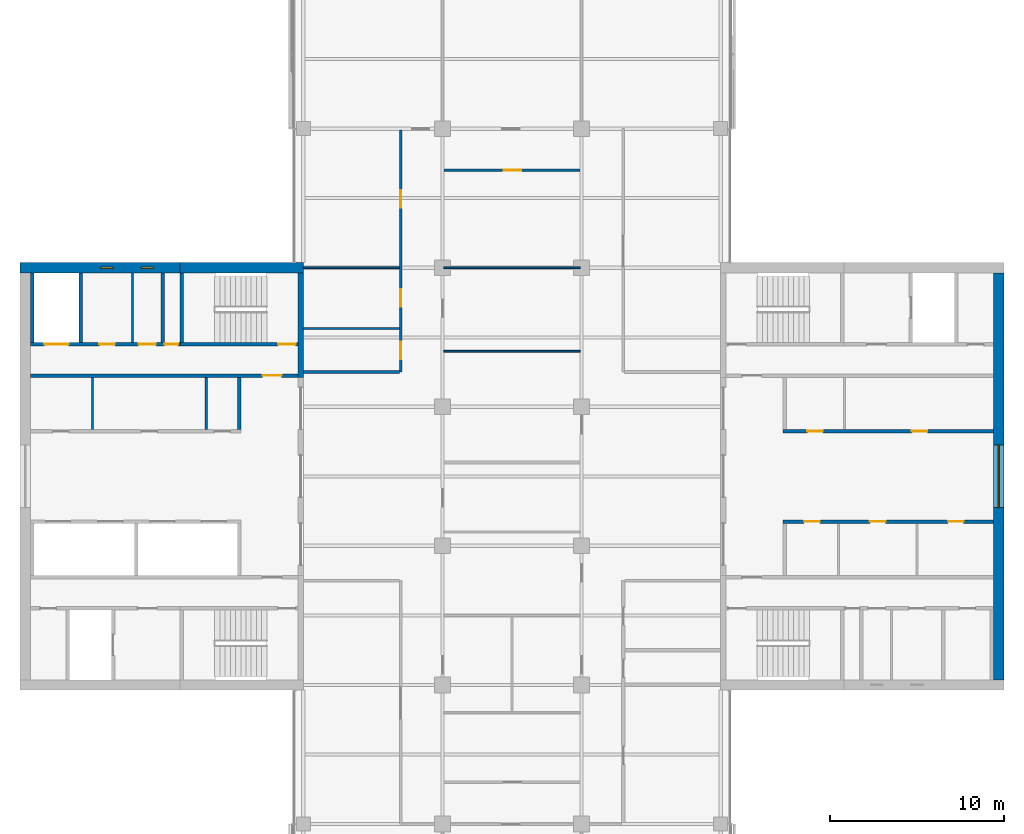
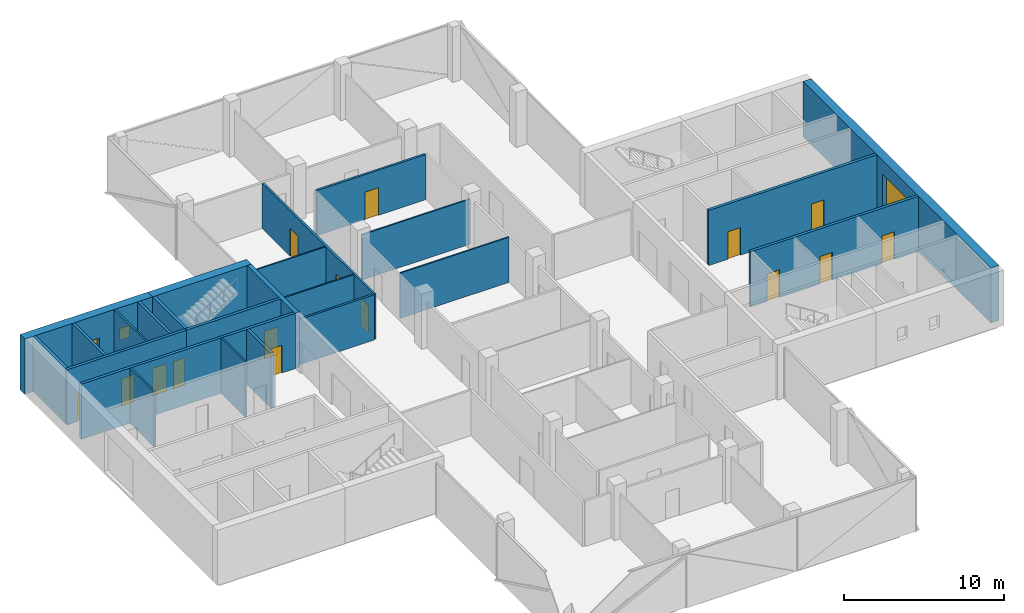
# One storey, part 11 of 15: 24 walls, 15 doors, 3 windows, 18 openings.
"""IFC4 building model written with IfcOpenShell, lengths in metres."""

from ifc_helpers import new_model, si_unit, direction, frame, frame_2d, origin, place, context, subcontext, project, spatial, rectangle, extrude, material, layer, layer_set, constituent, constituent_set, type_object, element, fill, save


model = new_model("IFC4")

# Units and contexts
model_context = context("Model", 3, precision=1e-05, world=origin(), true_north=direction((0.0, 1.0)))
body_context = subcontext(model_context, "Body", "Model", "MODEL_VIEW")
ifc_project = project(units=[si_unit("LENGTHUNIT", "METRE"), si_unit("AREAUNIT", "SQUARE_METRE"), si_unit("VOLUMEUNIT", "CUBIC_METRE"), si_unit("PLANEANGLEUNIT", "RADIAN"), si_unit("MASSUNIT", "GRAM", prefix="KILO")], contexts=[model_context])

# Site, building, storey
site_placement = place(None, origin())
site = spatial("IfcSite", under=ifc_project, at=site_placement, CompositionType="ELEMENT")
building_placement = place(site_placement, origin())
building = spatial("IfcBuilding", under=site, at=building_placement, Name="Crosswind Convention Tower", CompositionType="ELEMENT")
storey_placement = place(building_placement, frame((0.0, 0.0, 187.300048828125)))
storey = spatial("IfcBuildingStorey", under=building, at=storey_placement, Name="L39", CompositionType="ELEMENT", Elevation=187.300048828125)

# Walls
ifc_material_1 = material(Name="Concrete blockwork", Category="masonry")
ifc_layer_1 = layer(ifc_material_1, 0.199951171875)
ifc_layer_set_1 = layer_set([ifc_layer_1], Name="Blockwork partition wall 200")
wall_type_1 = type_object("IfcWallType", Name="Blockwork partition wall 200", PredefinedType="PARTITIONING", material=ifc_layer_set_1)
wall_1_placement = place(storey_placement, frame((104.89990234375, 111.699951171875, 0.0), z_axis=(0.0, 0.0, 1.0), x_axis=(0.0, -1.0, 0.0)))
element("IfcWall", 1, at=wall_1_placement, inside=storey, type_object=wall_type_1, Name="Wall MRSE W L39", PredefinedType="PARTITIONING", context=body_context, shape_type="SweptSolid", body=[
    extrude(rectangle(XDim=4.0, YDim=0.199951171875, at=frame_2d((2.0, 0.0))), origin(), (0.0, 0.0, 1.0), 4.199951171875),
])
ifc_material_2 = material(Name="Concrete C50/60", Category="concrete")
ifc_layer_2 = layer(ifc_material_2, 0.300048828125)
ifc_layer_set_2 = layer_set([ifc_layer_2], Name="Concrete C50/60")
wall_type_2 = type_object("IfcWallType", Name="Concrete inner core wall 300", PredefinedType="SHEAR", material=ifc_layer_set_2)
wall_2_placement = place(storey_placement, frame((112.85009765625, 111.699951171875, 0.0), z_axis=(0.0, 0.0, 1.0), x_axis=(0.0, -1.0, 0.0)))
element("IfcWall", 2, at=wall_2_placement, inside=storey, type_object=wall_type_2, Name="Wall EM W L39", PredefinedType="SHEAR", context=body_context, shape_type="SweptSolid", body=[
    extrude(rectangle(XDim=6.0, YDim=0.300048828125, at=frame_2d((3.0, 0.0))), origin(), (0.0, 0.0, 1.0), 4.199951171875),
])

# Wall, openings, doors
ifc_layer_3 = layer(ifc_material_2, 0.199951171875)
ifc_layer_set_3 = layer_set([ifc_layer_3], Name="Concrete C50/60")
wall_type_3 = type_object("IfcWallType", Name="Concrete shaft and stair wall 200", PredefinedType="SHEAR", material=ifc_layer_set_3)
wall_3_placement = place(storey_placement, frame((140.60009765625, 102.60009765625, 0.0), z_axis=(0.0, 0.0, 1.0), x_axis=(1.0, 0.0, 0.0)))
wall_3 = element("IfcWall", 3, at=wall_3_placement, inside=storey, type_object=wall_type_3, Name="Wall RPFRONT E L39", PredefinedType="SHEAR", context=body_context, shape_type="SweptSolid", body=[
    extrude(rectangle(XDim=12.099853515625, YDim=0.199951171875, at=frame_2d((6.0498046875, 0.0))), origin(), (0.0, 0.0, 1.0), 4.199951171875),
])
opening_1_placement = place(wall_3_placement, frame((1.384765625, 0.0, 0.0)))
opening_1 = element("IfcOpeningElement", 4, at=opening_1_placement, cuts=wall_3, Name="Opening D106", PredefinedType="OPENING", context=body_context, shape_type="SweptSolid", body=[
    extrude(rectangle(XDim=0.89990234375, YDim=2.10009765625, at=frame_2d((0.449951171875, 1.050048828125))), frame((0.0, 0.10986328125, 0.0), z_axis=(0.0, -1.0, 0.0), x_axis=(1.0, 0.0, 0.0)), (0.0, 0.0, 1.0), 0.219970703125),
])
opening_2_placement = place(wall_3_placement, frame((7.397216796875, 0.0, 0.0)))
opening_2 = element("IfcOpeningElement", 5, at=opening_2_placement, cuts=wall_3, Name="Opening D106", PredefinedType="OPENING", context=body_context, shape_type="SweptSolid", body=[
    extrude(rectangle(XDim=0.89990234375, YDim=2.10009765625, at=frame_2d((0.449951171875, 1.050048828125))), frame((0.0, 0.10986328125, 0.0), z_axis=(0.0, -1.0, 0.0), x_axis=(1.0, 0.0, 0.0)), (0.0, 0.0, 1.0), 0.219970703125),
])
ifc_material_3 = material(Name="Timber door", Category="wood")
door_type_1 = type_object("IfcDoorType", Name="Single leaf door 900x2100", OperationType="NOTDEFINED", PredefinedType="DOOR", material=ifc_material_3)
door_1_placement = place(opening_1_placement, origin())
door_1 = element("IfcDoor", 6, at=door_1_placement, inside=storey, type_object=door_type_1, Name="Door to tenant services room L39", ObjectType="D106", OperationType="SINGLE_SWING_RIGHT", OverallHeight=2.10009765625, OverallWidth=0.89990234375, PredefinedType="DOOR", context=body_context, shape_type="SweptSolid", body=[
    extrude(rectangle(XDim=0.89990234375, YDim=2.10009765625, at=frame_2d((0.449951171875, 1.050048828125))), frame((0.0, 0.02490234375, 0.0), z_axis=(0.0, -1.0, 0.0), x_axis=(1.0, 0.0, 0.0)), (0.0, 0.0, 1.0), 0.050048828125),
])
fill(opening_1, door_1)
door_2_placement = place(opening_2_placement, origin())
door_2 = element("IfcDoor", 7, at=door_2_placement, inside=storey, type_object=door_type_1, Name="Door to copy and print room L39", ObjectType="D106", OperationType="SINGLE_SWING_RIGHT", OverallHeight=2.10009765625, OverallWidth=0.89990234375, PredefinedType="DOOR", context=body_context, shape_type="SweptSolid", body=[
    extrude(rectangle(XDim=0.89990234375, YDim=2.10009765625, at=frame_2d((0.449951171875, 1.050048828125))), frame((0.0, 0.02490234375, 0.0), z_axis=(0.0, -1.0, 0.0), x_axis=(1.0, 0.0, 0.0)), (0.0, 0.0, 1.0), 0.050048828125),
])
fill(opening_2, door_2)

wall_4_placement = place(storey_placement, frame((140.60009765625, 97.39990234375, 0.0), z_axis=(0.0, 0.0, 1.0), x_axis=(1.0, 0.0, 0.0)))
wall_4 = element("IfcWall", 8, at=wall_4_placement, inside=storey, type_object=wall_type_3, Name="Wall RMFRONT E L39", PredefinedType="SHEAR", context=body_context, shape_type="SweptSolid", body=[
    extrude(rectangle(XDim=12.099853515625, YDim=0.199951171875, at=frame_2d((6.0498046875, 0.0))), origin(), (0.0, 0.0, 1.0), 4.199951171875),
])
opening_3_placement = place(wall_4_placement, frame((1.206298828125, 0.0, 0.0)))
opening_3 = element("IfcOpeningElement", 9, at=opening_3_placement, cuts=wall_4, Name="Opening D106", PredefinedType="OPENING", context=body_context, shape_type="SweptSolid", body=[
    extrude(rectangle(XDim=0.89990234375, YDim=2.10009765625, at=frame_2d((0.449951171875, 1.050048828125))), frame((0.0, 0.10986328125, 0.0), z_axis=(0.0, -1.0, 0.0), x_axis=(1.0, 0.0, 0.0)), (0.0, 0.0, 1.0), 0.219970703125),
])
opening_4_placement = place(wall_4_placement, frame((4.986083984375, 0.0, 0.0)))
opening_4 = element("IfcOpeningElement", 10, at=opening_4_placement, cuts=wall_4, Name="Opening D106", PredefinedType="OPENING", context=body_context, shape_type="SweptSolid", body=[
    extrude(rectangle(XDim=0.89990234375, YDim=2.10009765625, at=frame_2d((0.449951171875, 1.050048828125))), frame((0.0, 0.10986328125, 0.0), z_axis=(0.0, -1.0, 0.0), x_axis=(1.0, 0.0, 0.0)), (0.0, 0.0, 1.0), 0.219970703125),
])
opening_5_placement = place(wall_4_placement, frame((9.479736328125, 0.0, 0.0)))
opening_5 = element("IfcOpeningElement", 11, at=opening_5_placement, cuts=wall_4, Name="Opening D106", PredefinedType="OPENING", context=body_context, shape_type="SweptSolid", body=[
    extrude(rectangle(XDim=0.89990234375, YDim=2.10009765625, at=frame_2d((0.449951171875, 1.050048828125))), frame((0.0, 0.10986328125, 0.0), z_axis=(0.0, -1.0, 0.0), x_axis=(1.0, 0.0, 0.0)), (0.0, 0.0, 1.0), 0.219970703125),
])
door_3_placement = place(opening_3_placement, frame((0.89990234375, 0.0, 0.0), z_axis=(0.0, 0.0, 1.0), x_axis=(-1.0, 0.0, 0.0)))
door_3 = element("IfcDoor", 12, at=door_3_placement, inside=storey, type_object=door_type_1, Name="Door to copy and print room L39", ObjectType="D106", OperationType="SINGLE_SWING_LEFT", OverallHeight=2.10009765625, OverallWidth=0.89990234375, PredefinedType="DOOR", context=body_context, shape_type="SweptSolid", body=[
    extrude(rectangle(XDim=0.89990234375, YDim=2.10009765625, at=frame_2d((0.449951171875, 1.050048828125))), frame((0.0, 0.02490234375, 0.0), z_axis=(0.0, -1.0, 0.0), x_axis=(1.0, 0.0, 0.0)), (0.0, 0.0, 1.0), 0.050048828125),
])
fill(opening_3, door_3)
door_4_placement = place(opening_4_placement, frame((0.89990234375, 0.0, 0.0), z_axis=(0.0, 0.0, 1.0), x_axis=(-1.0, 0.0, 0.0)))
door_4 = element("IfcDoor", 13, at=door_4_placement, inside=storey, type_object=door_type_1, Name="Door to meeting room L39", ObjectType="D106", OperationType="SINGLE_SWING_LEFT", OverallHeight=2.10009765625, OverallWidth=0.89990234375, PredefinedType="DOOR", context=body_context, shape_type="SweptSolid", body=[
    extrude(rectangle(XDim=0.89990234375, YDim=2.10009765625, at=frame_2d((0.449951171875, 1.050048828125))), frame((0.0, 0.02490234375, 0.0), z_axis=(0.0, -1.0, 0.0), x_axis=(1.0, 0.0, 0.0)), (0.0, 0.0, 1.0), 0.050048828125),
])
fill(opening_4, door_4)
door_5_placement = place(opening_5_placement, frame((0.89990234375, 0.0, 0.0), z_axis=(0.0, 0.0, 1.0), x_axis=(-1.0, 0.0, 0.0)))
door_5 = element("IfcDoor", 14, at=door_5_placement, inside=storey, type_object=door_type_1, Name="Door to pantry L39", ObjectType="D106", OperationType="SINGLE_SWING_LEFT", OverallHeight=2.10009765625, OverallWidth=0.89990234375, PredefinedType="DOOR", context=body_context, shape_type="SweptSolid", body=[
    extrude(rectangle(XDim=0.89990234375, YDim=2.10009765625, at=frame_2d((0.449951171875, 1.050048828125))), frame((0.0, 0.02490234375, 0.0), z_axis=(0.0, -1.0, 0.0), x_axis=(1.0, 0.0, 0.0)), (0.0, 0.0, 1.0), 0.050048828125),
])
fill(opening_5, door_5)

# Wall
wall_5_placement = place(storey_placement, frame((109.300048828125, 105.699951171875, 0.0), z_axis=(0.0, 0.0, 1.0), x_axis=(0.0, -1.0, 0.0)))
element("IfcWall", 15, at=wall_5_placement, inside=storey, type_object=wall_type_3, Name="Wall RMEND W L39", PredefinedType="SHEAR", context=body_context, shape_type="SweptSolid", body=[
    extrude(rectangle(XDim=3.0, YDim=0.199951171875, at=frame_2d((1.5, 0.0))), origin(), (0.0, 0.0, 1.0), 4.199951171875),
])

# Wall, opening, door
wall_6_placement = place(storey_placement, frame((112.699951171875, 105.800048828125, 0.0), z_axis=(0.0, 0.0, 1.0), x_axis=(-1.0, 0.0, 0.0)))
wall_6 = element("IfcWall", 16, at=wall_6_placement, inside=storey, type_object=wall_type_3, Name="Wall HM W L39", PredefinedType="SHEAR", context=body_context, shape_type="SweptSolid", body=[
    extrude(rectangle(XDim=15.39990234375, YDim=0.199951171875, at=frame_2d((7.699951171875, 0.0))), origin(), (0.0, 0.0, 1.0), 4.199951171875),
])
opening_6_placement = place(wall_6_placement, frame((0.949951171875, 0.0, 0.0)))
opening_6 = element("IfcOpeningElement", 17, at=opening_6_placement, cuts=wall_6, Name="Opening D104", PredefinedType="OPENING", context=body_context, shape_type="SweptSolid", body=[
    extrude(rectangle(XDim=1.10009765625, YDim=2.10009765625, at=frame_2d((0.550048828125, 1.050048828125))), frame((0.0, 0.10986328125, 0.0), z_axis=(0.0, -1.0, 0.0), x_axis=(1.0, 0.0, 0.0)), (0.0, 0.0, 1.0), 0.219970703125),
])
ifc_material_4 = material(Name="Steel fire door", Category="steel")
door_type_2 = type_object("IfcDoorType", Name="Fire-rated single door 1100x2100", OperationType="NOTDEFINED", PredefinedType="DOOR", material=ifc_material_4)
door_6_placement = place(opening_6_placement, origin())
door_6 = element("IfcDoor", 18, at=door_6_placement, inside=storey, type_object=door_type_2, Name="Corridor door L39", ObjectType="D104", OperationType="SINGLE_SWING_LEFT", OverallHeight=2.10009765625, OverallWidth=1.10009765625, PredefinedType="DOOR", context=body_context, shape_type="SweptSolid", body=[
    extrude(rectangle(XDim=1.10009765625, YDim=2.10009765625, at=frame_2d((0.550048828125, 1.050048828125))), frame((0.0, 0.02490234375, 0.0), z_axis=(0.0, -1.0, 0.0), x_axis=(1.0, 0.0, 0.0)), (0.0, 0.0, 1.0), 0.050048828125),
])
fill(opening_6, door_6)

# Walls
for number, where, z_axis, x_axis, name in (
    (19, (106.0, 111.699951171875, 0.0), (0.0, 0.0, 1.0), (0.0, -1.0, 0.0), "Wall MSE W L39"),
    (20, (100.199951171875, 111.699951171875, 0.0), (0.0, 0.0, 1.0), (0.0, -1.0, 0.0), "Wall MFSW W L39"),
    (21, (97.39990234375, 111.699951171875, 0.0), (0.0, 0.0, 1.0), (0.0, -1.0, 0.0), "Wall MFSE W L39"),
):
    element("IfcWall", number, at=place(storey_placement, frame(where, z_axis=z_axis, x_axis=x_axis)), inside=storey, type_object=wall_type_3, Name=name, PredefinedType="SHEAR", context=body_context, shape_type="SweptSolid", body=[
        extrude(rectangle(XDim=4.0, YDim=0.199951171875, at=frame_2d((2.0, 0.0))), origin(), (0.0, 0.0, 1.0), 4.199951171875),
    ])

# Wall, opening, door
wall_7_placement = place(storey_placement, frame((112.699951171875, 107.60009765625, 0.0), z_axis=(0.0, 0.0, 1.0), x_axis=(-1.0, 0.0, 0.0)))
wall_7 = element("IfcWall", 22, at=wall_7_placement, inside=storey, type_object=wall_type_3, Name="Wall MCW W L39", PredefinedType="SHEAR", context=body_context, shape_type="SweptSolid", body=[
    extrude(rectangle(XDim=6.800048828125, YDim=0.199951171875, at=frame_2d((3.39990234375, 0.0))), origin(), (0.0, 0.0, 1.0), 4.199951171875),
])
opening_7_placement = place(wall_7_placement, frame((0.14990234375, 0.0, 0.0)))
opening_7 = element("IfcOpeningElement", 23, at=opening_7_placement, cuts=wall_7, Name="Opening D103", PredefinedType="OPENING", context=body_context, shape_type="SweptSolid", body=[
    extrude(rectangle(XDim=1.0, YDim=2.10009765625, at=frame_2d((0.5, 1.050048828125))), frame((0.0, 0.10986328125, 0.0), z_axis=(0.0, -1.0, 0.0), x_axis=(1.0, 0.0, 0.0)), (0.0, 0.0, 1.0), 0.219970703125),
])
door_type_3 = type_object("IfcDoorType", Name="Fire-rated single door 1000x2100", OperationType="NOTDEFINED", PredefinedType="DOOR", material=ifc_material_4)
door_7_placement = place(opening_7_placement, frame((1.0, 0.0, 0.0), z_axis=(0.0, 0.0, 1.0), x_axis=(-1.0, 0.0, 0.0)))
door_7 = element("IfcDoor", 24, at=door_7_placement, inside=storey, type_object=door_type_3, Name="Stair ST4 door L39", ObjectType="D103", OperationType="SINGLE_SWING_RIGHT", OverallHeight=2.10009765625, OverallWidth=1.0, PredefinedType="DOOR", context=body_context, shape_type="SweptSolid", body=[
    extrude(rectangle(XDim=1.0, YDim=2.10009765625, at=frame_2d((0.5, 1.050048828125))), frame((0.0, 0.02490234375, 0.0), z_axis=(0.0, -1.0, 0.0), x_axis=(1.0, 0.0, 0.0)), (0.0, 0.0, 1.0), 0.050048828125),
])
fill(opening_7, door_7)

# Wall, openings, doors
wall_8_placement = place(storey_placement, frame((105.89990234375, 107.60009765625, 0.0), z_axis=(0.0, 0.0, 1.0), x_axis=(-1.0, 0.0, 0.0)))
wall_8 = element("IfcWall", 25, at=wall_8_placement, inside=storey, type_object=wall_type_3, Name="Wall MCX W L39", PredefinedType="SHEAR", context=body_context, shape_type="SweptSolid", body=[
    extrude(rectangle(XDim=8.599853515625, YDim=0.199951171875, at=frame_2d((4.2998046875, 0.0))), origin(), (0.0, 0.0, 1.0), 4.199951171875),
])
opening_8_placement = place(wall_8_placement, frame((0.10009765625, 0.0, 0.0)))
opening_8 = element("IfcOpeningElement", 26, at=opening_8_placement, cuts=wall_8, Name="Opening D105", PredefinedType="OPENING", context=body_context, shape_type="SweptSolid", body=[
    extrude(rectangle(XDim=0.800048828125, YDim=2.10009765625, at=frame_2d((0.39990234375, 1.050048828125))), frame((0.0, 0.10986328125, 0.0), z_axis=(0.0, -1.0, 0.0), x_axis=(1.0, 0.0, 0.0)), (0.0, 0.0, 1.0), 0.219970703125),
])
opening_9_placement = place(wall_8_placement, frame((1.378662109375, 0.0, 0.0)))
opening_9 = element("IfcOpeningElement", 27, at=opening_9_placement, cuts=wall_8, Name="Opening D103", PredefinedType="OPENING", context=body_context, shape_type="SweptSolid", body=[
    extrude(rectangle(XDim=1.0, YDim=2.10009765625, at=frame_2d((0.5, 1.050048828125))), frame((0.0, 0.10986328125, 0.0), z_axis=(0.0, -1.0, 0.0), x_axis=(1.0, 0.0, 0.0)), (0.0, 0.0, 1.0), 0.219970703125),
])
opening_10_placement = place(wall_8_placement, frame((3.7412109375, 0.0, 0.0)))
opening_10 = element("IfcOpeningElement", 28, at=opening_10_placement, cuts=wall_8, Name="Opening D106", PredefinedType="OPENING", context=body_context, shape_type="SweptSolid", body=[
    extrude(rectangle(XDim=0.89990234375, YDim=2.10009765625, at=frame_2d((0.449951171875, 1.050048828125))), frame((0.0, 0.10986328125, 0.0), z_axis=(0.0, -1.0, 0.0), x_axis=(1.0, 0.0, 0.0)), (0.0, 0.0, 1.0), 0.219970703125),
])
opening_11_placement = place(wall_8_placement, frame((6.39990234375, 0.0, 0.0)))
opening_11 = element("IfcOpeningElement", 29, at=opening_11_placement, cuts=wall_8, Name="Opening LD2", PredefinedType="OPENING", context=body_context, shape_type="SweptSolid", body=[
    extrude(rectangle(XDim=1.39990234375, YDim=2.10009765625, at=frame_2d((0.699951171875, 1.050048828125))), frame((0.0, 0.10986328125, 0.0), z_axis=(0.0, -1.0, 0.0), x_axis=(1.0, 0.0, 0.0)), (0.0, 0.0, 1.0), 0.219970703125),
])
door_8_placement = place(opening_9_placement, frame((1.0, 0.0, 0.0), z_axis=(0.0, 0.0, 1.0), x_axis=(-1.0, 0.0, 0.0)))
door_8 = element("IfcDoor", 30, at=door_8_placement, inside=storey, type_object=door_type_3, Name="Door to accessible wc L39", ObjectType="D103", OperationType="SINGLE_SWING_LEFT", OverallHeight=2.10009765625, OverallWidth=1.0, PredefinedType="DOOR", context=body_context, shape_type="SweptSolid", body=[
    extrude(rectangle(XDim=1.0, YDim=2.10009765625, at=frame_2d((0.5, 1.050048828125))), frame((0.0, 0.02490234375, 0.0), z_axis=(0.0, -1.0, 0.0), x_axis=(1.0, 0.0, 0.0)), (0.0, 0.0, 1.0), 0.050048828125),
])
fill(opening_9, door_8)
ifc_material_5 = material(Name="Stainless steel", Category="steel")
door_type_4 = type_object("IfcDoorType", Name="Lift landing door 1400x2100", OperationType="DOUBLE_DOOR_SLIDING", PredefinedType="DOOR", material=ifc_material_5)
door_9_placement = place(opening_11_placement, origin())
door_9 = element("IfcDoor", 31, at=door_9_placement, inside=storey, type_object=door_type_4, Name="Landing door SV2 L39", ObjectType="LD2", OperationType="DOUBLE_DOOR_SLIDING", OverallHeight=2.10009765625, OverallWidth=1.39990234375, PredefinedType="DOOR", context=body_context, shape_type="SweptSolid", body=[
    extrude(rectangle(XDim=1.39990234375, YDim=2.10009765625, at=frame_2d((0.699951171875, 1.050048828125))), frame((0.0, 0.02490234375, 0.0), z_axis=(0.0, -1.0, 0.0), x_axis=(1.0, 0.0, 0.0)), (0.0, 0.0, 1.0), 0.050048828125),
])
fill(opening_11, door_9)
door_type_5 = type_object("IfcDoorType", Name="Riser access door 800x2100", OperationType="NOTDEFINED", PredefinedType="DOOR", material=ifc_material_4)
door_10_placement = place(opening_8_placement, frame((0.800048828125, 0.0, 0.0), z_axis=(0.0, 0.0, 1.0), x_axis=(-1.0, 0.0, 0.0)))
door_10 = element("IfcDoor", 32, at=door_10_placement, inside=storey, type_object=door_type_5, Name="Riser door L39", ObjectType="D105", OperationType="SINGLE_SWING_LEFT", OverallHeight=2.10009765625, OverallWidth=0.800048828125, PredefinedType="DOOR", context=body_context, shape_type="SweptSolid", body=[
    extrude(rectangle(XDim=0.800048828125, YDim=2.10009765625, at=frame_2d((0.39990234375, 1.050048828125))), frame((0.0, 0.02490234375, 0.0), z_axis=(0.0, -1.0, 0.0), x_axis=(1.0, 0.0, 0.0)), (0.0, 0.0, 1.0), 0.050048828125),
])
fill(opening_8, door_10)
door_11_placement = place(opening_10_placement, frame((0.89990234375, 0.0, 0.0), z_axis=(0.0, 0.0, 1.0), x_axis=(-1.0, 0.0, 0.0)))
door_11 = element("IfcDoor", 33, at=door_11_placement, inside=storey, type_object=door_type_1, Name="Door to wc L39", ObjectType="D106", OperationType="SINGLE_SWING_LEFT", OverallHeight=2.10009765625, OverallWidth=0.89990234375, PredefinedType="DOOR", context=body_context, shape_type="SweptSolid", body=[
    extrude(rectangle(XDim=0.89990234375, YDim=2.10009765625, at=frame_2d((0.449951171875, 1.050048828125))), frame((0.0, 0.02490234375, 0.0), z_axis=(0.0, -1.0, 0.0), x_axis=(1.0, 0.0, 0.0)), (0.0, 0.0, 1.0), 0.050048828125),
])
fill(opening_10, door_11)

# Walls
ifc_material_6 = material(Name="Gypsum plasterboard partition", Category="gypsum")
ifc_layer_4 = layer(ifc_material_6, 0.125)
ifc_layer_set_4 = layer_set([ifc_layer_4], Name="Drywall partition wall 125")
wall_type_4 = type_object("IfcWallType", Name="Drywall partition wall 125", PredefinedType="PARTITIONING", material=ifc_layer_set_4)
for number, where, z_axis, x_axis, name in (
    (34, (107.4150390625, 105.699951171875, 0.0), (0.0, 0.0, 1.0), (0.0, -1.0, 0.0), "Wall RMP1 W L39"),
    (35, (100.8701171875, 105.699951171875, 0.0), (0.0, 0.0, 1.0), (0.0, -1.0, 0.0), "Wall RMP2 W L39"),
):
    element("IfcWall", number, at=place(storey_placement, frame(where, z_axis=z_axis, x_axis=x_axis)), inside=storey, type_object=wall_type_4, Name=name, PredefinedType="PARTITIONING", context=body_context, shape_type="SweptSolid", body=[
        extrude(rectangle(XDim=3.0, YDim=0.125, at=frame_2d((1.5, 0.0))), origin(), (0.0, 0.0, 1.0), 4.199951171875),
    ])
wall_9_placement = place(storey_placement, frame((103.179931640625, 111.699951171875, 0.0), z_axis=(0.0, 0.0, 1.0), x_axis=(0.0, -1.0, 0.0)))
element("IfcWall", 36, at=wall_9_placement, inside=storey, type_object=wall_type_4, Name="Wall MWP1 W L39", PredefinedType="PARTITIONING", context=body_context, shape_type="SweptSolid", body=[
    extrude(rectangle(XDim=4.0, YDim=0.125, at=frame_2d((2.0, 0.0))), origin(), (0.0, 0.0, 1.0), 4.199951171875),
])
ifc_material_7 = material(Name="Plasterboard partition", Category="gypsum")
ifc_layer_5 = layer(ifc_material_7, 0.10009765625)
ifc_layer_set_5 = layer_set([ifc_layer_5], Name="PARTITION 100 METAL STUD")
wall_type_5 = type_object("IfcWallType", Name="PARTITION 100 METAL STUD", PredefinedType="PARTITIONING", material=ifc_layer_set_5)
wall_10_placement = place(storey_placement, frame((121.074951171875, 107.199951171875, 0.0), z_axis=(0.0, 0.0, 1.0), x_axis=(1.0, 0.0, 0.0)))
element("IfcWall", 37, at=wall_10_placement, inside=storey, type_object=wall_type_5, Name="Partition wall WT40", PredefinedType="PARTITIONING", context=body_context, shape_type="SweptSolid", body=[
    extrude(rectangle(XDim=7.85009765625, YDim=0.10009765625, at=frame_2d((3.925048828125, 0.0))), origin(), (0.0, 0.0, 1.0), 3.439697265625),
])
for number, where, z_axis, x_axis, name in (
    (38, (113.0, 108.5, 0.0), (0.0, 0.0, 1.0), (1.0, 0.0, 0.0), "Partition wall WT40"),
    (39, (113.0, 112.0, 0.0), (0.0, 0.0, 1.0), (1.0, 0.0, 0.0), "Partition wall WT40"),
):
    element("IfcWall", number, at=place(storey_placement, frame(where, z_axis=z_axis, x_axis=x_axis)), inside=storey, type_object=wall_type_5, Name=name, PredefinedType="PARTITIONING", context=body_context, shape_type="SweptSolid", body=[
        extrude(rectangle(XDim=5.52490234375, YDim=0.10009765625, at=frame_2d((2.762451171875, 0.0))), origin(), (0.0, 0.0, 1.0), 3.439697265625),
    ])
wall_11_placement = place(storey_placement, frame((121.074951171875, 112.0, 0.0), z_axis=(0.0, 0.0, 1.0), x_axis=(1.0, 0.0, 0.0)))
element("IfcWall", 40, at=wall_11_placement, inside=storey, type_object=wall_type_5, Name="Partition wall WT40", PredefinedType="PARTITIONING", context=body_context, shape_type="SweptSolid", body=[
    extrude(rectangle(XDim=7.85009765625, YDim=0.10009765625, at=frame_2d((3.925048828125, 0.0))), origin(), (0.0, 0.0, 1.0), 3.439697265625),
])

# Wall, openings, doors
ifc_material_8 = material(Name="Fire-board partition with mineral wool", Category="gypsum")
ifc_layer_6 = layer(ifc_material_8, 0.14990234375)
ifc_layer_set_6 = layer_set([ifc_layer_6], Name="TENANCY WALL 150 TWO-HOUR BOARD")
wall_type_6 = type_object("IfcWallType", Name="TENANCY WALL 150 TWO-HOUR BOARD", PredefinedType="PARTITIONING", material=ifc_layer_set_6)
wall_12_placement = place(storey_placement, frame((118.60009765625, 106.0, 0.0), z_axis=(0.0, 0.0, 1.0), x_axis=(0.0, 1.0, 0.0)))
wall_12 = element("IfcWall", 41, at=wall_12_placement, inside=storey, type_object=wall_type_6, Name="Tenancy wall WT41", PredefinedType="PARTITIONING", context=body_context, shape_type="SweptSolid", body=[
    extrude(rectangle(XDim=13.925048828125, YDim=0.14990234375, at=frame_2d((6.96240234375, 0.0))), origin(), (0.0, 0.0, 1.0), 3.439697265625),
])
opening_12_placement = place(wall_12_placement, frame((0.75, 0.0, 0.0)))
opening_12 = element("IfcOpeningElement", 42, at=opening_12_placement, cuts=wall_12, Name="Opening L39-54", PredefinedType="OPENING", context=body_context, shape_type="SweptSolid", body=[
    extrude(rectangle(XDim=1.0, YDim=2.10009765625, at=frame_2d((0.5, 1.050048828125))), frame((0.0, 0.0849609375, 0.0), z_axis=(0.0, -1.0, 0.0), x_axis=(1.0, 0.0, 0.0)), (0.0, 0.0, 1.0), 0.169921875),
])
opening_13_placement = place(wall_12_placement, frame((3.75, 0.0, 0.0)))
opening_13 = element("IfcOpeningElement", 43, at=opening_13_placement, cuts=wall_12, Name="Opening L39-55", PredefinedType="OPENING", context=body_context, shape_type="SweptSolid", body=[
    extrude(rectangle(XDim=1.0, YDim=2.10009765625, at=frame_2d((0.5, 1.050048828125))), frame((0.0, 0.0849609375, 0.0), z_axis=(0.0, -1.0, 0.0), x_axis=(1.0, 0.0, 0.0)), (0.0, 0.0, 1.0), 0.169921875),
])
opening_14_placement = place(wall_12_placement, frame((9.449951171875, 0.0, 0.0)))
opening_14 = element("IfcOpeningElement", 44, at=opening_14_placement, cuts=wall_12, Name="Opening L39-56", PredefinedType="OPENING", context=body_context, shape_type="SweptSolid", body=[
    extrude(rectangle(XDim=1.0, YDim=2.10009765625, at=frame_2d((0.5, 1.050048828125))), frame((0.0, 0.0849609375, 0.0), z_axis=(0.0, -1.0, 0.0), x_axis=(1.0, 0.0, 0.0)), (0.0, 0.0, 1.0), 0.169921875),
])
ifc_material_9 = material(Name="Timber fire door", Category="wood")
door_type_6 = type_object("IfcDoorType", Name="TENANCY ENTRANCE DOOR 1000X2100 FD30S", OperationType="NOTDEFINED", PredefinedType="DOOR", material=ifc_material_9)
door_12_placement = place(opening_12_placement, origin())
door_12 = element("IfcDoor", 45, at=door_12_placement, inside=storey, type_object=door_type_6, Name="Door L39-54", ObjectType="D41", OperationType="SINGLE_SWING_RIGHT", OverallHeight=2.10009765625, OverallWidth=1.0, PredefinedType="DOOR", context=body_context, shape_type="SweptSolid", body=[
    extrude(rectangle(XDim=1.0, YDim=2.10009765625, at=frame_2d((0.5, 1.050048828125))), frame((0.0, 0.02490234375, 0.0), z_axis=(0.0, -1.0, 0.0), x_axis=(1.0, 0.0, 0.0)), (0.0, 0.0, 1.0), 0.050048828125),
])
fill(opening_12, door_12)
door_13_placement = place(opening_13_placement, origin())
door_13 = element("IfcDoor", 46, at=door_13_placement, inside=storey, type_object=door_type_6, Name="Door L39-55", ObjectType="D41", OperationType="SINGLE_SWING_RIGHT", OverallHeight=2.10009765625, OverallWidth=1.0, PredefinedType="DOOR", context=body_context, shape_type="SweptSolid", body=[
    extrude(rectangle(XDim=1.0, YDim=2.10009765625, at=frame_2d((0.5, 1.050048828125))), frame((0.0, 0.02490234375, 0.0), z_axis=(0.0, -1.0, 0.0), x_axis=(1.0, 0.0, 0.0)), (0.0, 0.0, 1.0), 0.050048828125),
])
fill(opening_13, door_13)
door_14_placement = place(opening_14_placement, origin())
door_14 = element("IfcDoor", 47, at=door_14_placement, inside=storey, type_object=door_type_6, Name="Door L39-56", ObjectType="D41", OperationType="SINGLE_SWING_LEFT", OverallHeight=2.10009765625, OverallWidth=1.0, PredefinedType="DOOR", context=body_context, shape_type="SweptSolid", body=[
    extrude(rectangle(XDim=1.0, YDim=2.10009765625, at=frame_2d((0.5, 1.050048828125))), frame((0.0, 0.02490234375, 0.0), z_axis=(0.0, -1.0, 0.0), x_axis=(1.0, 0.0, 0.0)), (0.0, 0.0, 1.0), 0.050048828125),
])
fill(opening_14, door_14)

# Wall
wall_13_placement = place(storey_placement, frame((113.0, 106.0, 0.0), z_axis=(0.0, 0.0, 1.0), x_axis=(1.0, 0.0, 0.0)))
element("IfcWall", 48, at=wall_13_placement, inside=storey, type_object=wall_type_6, Name="Tenancy wall WT41", PredefinedType="PARTITIONING", context=body_context, shape_type="SweptSolid", body=[
    extrude(rectangle(XDim=5.52490234375, YDim=0.14990234375, at=frame_2d((2.762451171875, 0.0))), origin(), (0.0, 0.0, 1.0), 3.439697265625),
])

# Wall, opening, door
wall_14_placement = place(storey_placement, frame((121.074951171875, 117.60009765625, 0.0), z_axis=(0.0, 0.0, 1.0), x_axis=(1.0, 0.0, 0.0)))
wall_14 = element("IfcWall", 49, at=wall_14_placement, inside=storey, type_object=wall_type_6, Name="Tenancy wall WT41", PredefinedType="PARTITIONING", context=body_context, shape_type="SweptSolid", body=[
    extrude(rectangle(XDim=7.85009765625, YDim=0.14990234375, at=frame_2d((3.925048828125, 0.0))), origin(), (0.0, 0.0, 1.0), 3.439697265625),
])
opening_15_placement = place(wall_14_placement, frame((3.449951171875, 0.0, 0.0)))
opening_15 = element("IfcOpeningElement", 50, at=opening_15_placement, cuts=wall_14, Name="Opening L39-68", PredefinedType="OPENING", context=body_context, shape_type="SweptSolid", body=[
    extrude(rectangle(XDim=1.0, YDim=2.10009765625, at=frame_2d((0.5, 1.050048828125))), frame((0.0, 0.0849609375, 0.0), z_axis=(0.0, -1.0, 0.0), x_axis=(1.0, 0.0, 0.0)), (0.0, 0.0, 1.0), 0.169921875),
])
door_15_placement = place(opening_15_placement, frame((1.0, 0.0, 0.0), z_axis=(0.0, 0.0, 1.0), x_axis=(-1.0, 0.0, 0.0)))
door_15 = element("IfcDoor", 51, at=door_15_placement, inside=storey, type_object=door_type_6, Name="Door L39-68", ObjectType="D41", OperationType="SINGLE_SWING_LEFT", OverallHeight=2.10009765625, OverallWidth=1.0, PredefinedType="DOOR", context=body_context, shape_type="SweptSolid", body=[
    extrude(rectangle(XDim=1.0, YDim=2.10009765625, at=frame_2d((0.5, 1.050048828125))), frame((0.0, 0.02490234375, 0.0), z_axis=(0.0, -1.0, 0.0), x_axis=(1.0, 0.0, 0.0)), (0.0, 0.0, 1.0), 0.050048828125),
])
fill(opening_15, door_15)

# Wall, opening, window
ifc_material_10 = material(Name="Concrete C60/75", Category="concrete")
ifc_constituent_1 = constituent(ifc_material_10, Name="Structure")
ifc_material_11 = material(Name="Terracotta rainscreen", Category="ceramic")
ifc_constituent_2 = constituent(ifc_material_11, Name="Facing")
ifc_constituent_set = constituent_set(constituents=[ifc_constituent_1, ifc_constituent_2], Name="Concrete C60/75, Terracotta rainscreen")
wall_type_7 = type_object("IfcWallType", Name="Terracotta rainscreen on concrete core wall 600", PredefinedType="SHEAR", material=ifc_constituent_set)
wall_15_placement = place(storey_placement, frame((153.0, 88.300048828125, 0.0), z_axis=(0.0, 0.0, 1.0), x_axis=(0.0, 1.0, 0.0)))
wall_15 = element("IfcWall", 52, at=wall_15_placement, inside=storey, type_object=wall_type_7, Name="Wall O E L39", PredefinedType="SHEAR", context=body_context, shape_type="SweptSolid", body=[
    extrude(rectangle(XDim=23.39990234375, YDim=0.60009765625, at=frame_2d((11.699951171875, 0.0))), origin(), (0.0, 0.0, 1.0), 4.199951171875),
])
opening_16_placement = place(wall_15_placement, frame((9.89990234375, 0.0, 0.14990234375)))
opening_16 = element("IfcOpeningElement", 53, at=opening_16_placement, cuts=wall_15, Name="Opening W1", PredefinedType="OPENING", context=body_context, shape_type="SweptSolid", body=[
    extrude(rectangle(XDim=3.60009765625, YDim=3.0, at=frame_2d((1.800048828125, 1.5))), frame((0.0, 0.31005859375, 0.0), z_axis=(0.0, -1.0, 0.0), x_axis=(1.0, 0.0, 0.0)), (0.0, 0.0, 1.0), 0.6201171875),
])
ifc_material_12 = material(Name="Clear laminated glass in aluminium frame", Category="aluminium")
window_type_1 = type_object("IfcWindowType", Name="Lobby end window 3600x3000", PartitioningType="SINGLE_PANEL", PredefinedType="WINDOW", material=ifc_material_12)
window_1_placement = place(opening_16_placement, origin())
window_1 = element("IfcWindow", 54, at=window_1_placement, inside=storey, type_object=window_type_1, Name="Lobby end window L39", ObjectType="W1", OverallHeight=3.0, OverallWidth=3.60009765625, PartitioningType="SINGLE_PANEL", PredefinedType="WINDOW", context=body_context, shape_type="SweptSolid", body=[
    extrude(rectangle(XDim=3.60009765625, YDim=3.0, at=frame_2d((1.800048828125, 1.5))), frame((0.0, 0.030029296875, 0.0), z_axis=(0.0, -1.0, 0.0), x_axis=(1.0, 0.0, 0.0)), (0.0, 0.0, 1.0), 0.06005859375),
])
fill(opening_16, window_1)

# Wall
wall_16_placement = place(storey_placement, frame((113.0, 112.0, 0.0), z_axis=(0.0, 0.0, 1.0), x_axis=(-1.0, 0.0, 0.0)))
element("IfcWall", 55, at=wall_16_placement, inside=storey, type_object=wall_type_7, Name="Wall S1 W L39", PredefinedType="SHEAR", context=body_context, shape_type="SweptSolid", body=[
    extrude(rectangle(XDim=7.10009765625, YDim=0.60009765625, at=frame_2d((3.550048828125, 0.0))), origin(), (0.0, 0.0, 1.0), 4.199951171875),
])

# Wall, openings, windows
wall_17_placement = place(storey_placement, frame((105.89990234375, 112.0, 0.0), z_axis=(0.0, 0.0, 1.0), x_axis=(-1.0, 0.0, 0.0)))
wall_17 = element("IfcWall", 56, at=wall_17_placement, inside=storey, type_object=wall_type_7, Name="Wall S2 W L39", PredefinedType="SHEAR", context=body_context, shape_type="SweptSolid", body=[
    extrude(rectangle(XDim=9.199951171875, YDim=0.60009765625, at=frame_2d((4.60009765625, 0.0))), origin(), (0.0, 0.0, 1.0), 4.199951171875),
])
opening_17_placement = place(wall_17_placement, frame((1.52880859375, 0.0, 1.5)))
opening_17 = element("IfcOpeningElement", 57, at=opening_17_placement, cuts=wall_17, Name="Opening W2", PredefinedType="OPENING", context=body_context, shape_type="SweptSolid", body=[
    extrude(rectangle(XDim=0.699951171875, YDim=0.89990234375, at=frame_2d((0.35009765625, 0.449951171875))), frame((0.0, 0.31005859375, 0.0), z_axis=(0.0, -1.0, 0.0), x_axis=(1.0, 0.0, 0.0)), (0.0, 0.0, 1.0), 0.6201171875),
])
opening_18_placement = place(wall_17_placement, frame((3.84130859375, 0.0, 1.5)))
opening_18 = element("IfcOpeningElement", 58, at=opening_18_placement, cuts=wall_17, Name="Opening W2", PredefinedType="OPENING", context=body_context, shape_type="SweptSolid", body=[
    extrude(rectangle(XDim=0.699951171875, YDim=0.89990234375, at=frame_2d((0.35009765625, 0.449951171875))), frame((0.0, 0.31005859375, 0.0), z_axis=(0.0, -1.0, 0.0), x_axis=(1.0, 0.0, 0.0)), (0.0, 0.0, 1.0), 0.6201171875),
])
ifc_material_13 = material(Name="Obscure glass in aluminium frame", Category="aluminium")
window_type_2 = type_object("IfcWindowType", Name="WC window 700x900", PartitioningType="SINGLE_PANEL", PredefinedType="WINDOW", material=ifc_material_13)
window_2_placement = place(opening_17_placement, origin())
window_2 = element("IfcWindow", 59, at=window_2_placement, inside=storey, type_object=window_type_2, Name="WC window L39", ObjectType="W2", OverallHeight=0.89990234375, OverallWidth=0.699951171875, PartitioningType="SINGLE_PANEL", PredefinedType="WINDOW", context=body_context, shape_type="SweptSolid", body=[
    extrude(rectangle(XDim=0.699951171875, YDim=0.89990234375, at=frame_2d((0.35009765625, 0.449951171875))), frame((0.0, 0.030029296875, 0.0), z_axis=(0.0, -1.0, 0.0), x_axis=(1.0, 0.0, 0.0)), (0.0, 0.0, 1.0), 0.06005859375),
])
fill(opening_17, window_2)
window_3_placement = place(opening_18_placement, origin())
window_3 = element("IfcWindow", 60, at=window_3_placement, inside=storey, type_object=window_type_2, Name="WC window L39", ObjectType="W2", OverallHeight=0.89990234375, OverallWidth=0.699951171875, PartitioningType="SINGLE_PANEL", PredefinedType="WINDOW", context=body_context, shape_type="SweptSolid", body=[
    extrude(rectangle(XDim=0.699951171875, YDim=0.89990234375, at=frame_2d((0.35009765625, 0.449951171875))), frame((0.0, 0.030029296875, 0.0), z_axis=(0.0, -1.0, 0.0), x_axis=(1.0, 0.0, 0.0)), (0.0, 0.0, 1.0), 0.06005859375),
])
fill(opening_18, window_3)

save(model, "model.ifc")
